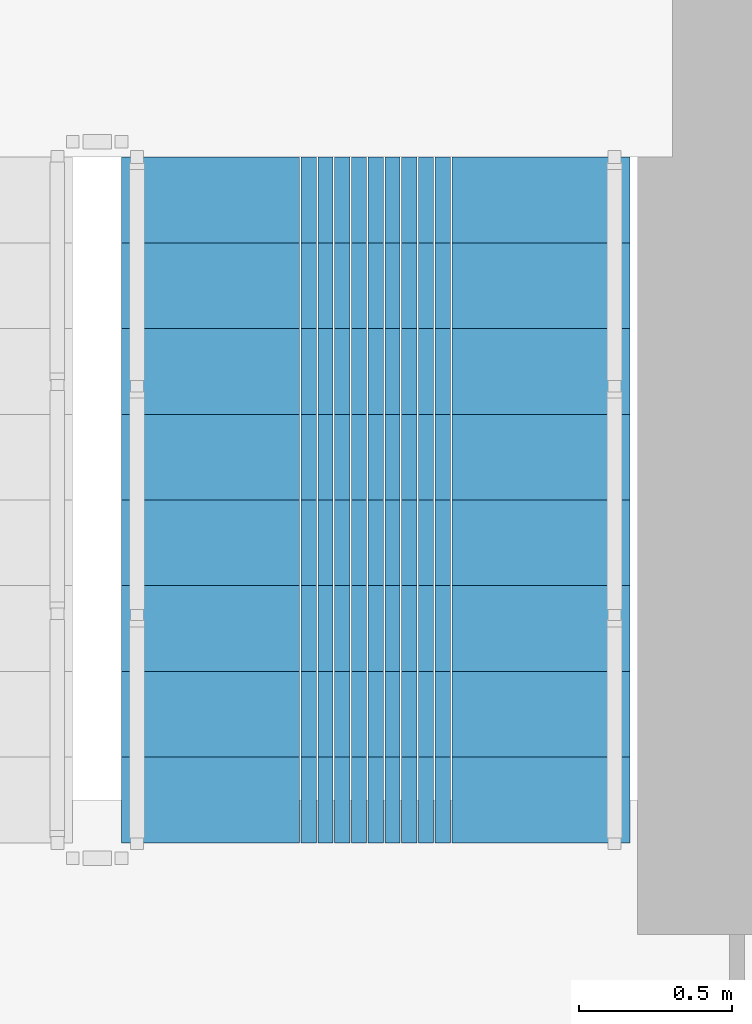
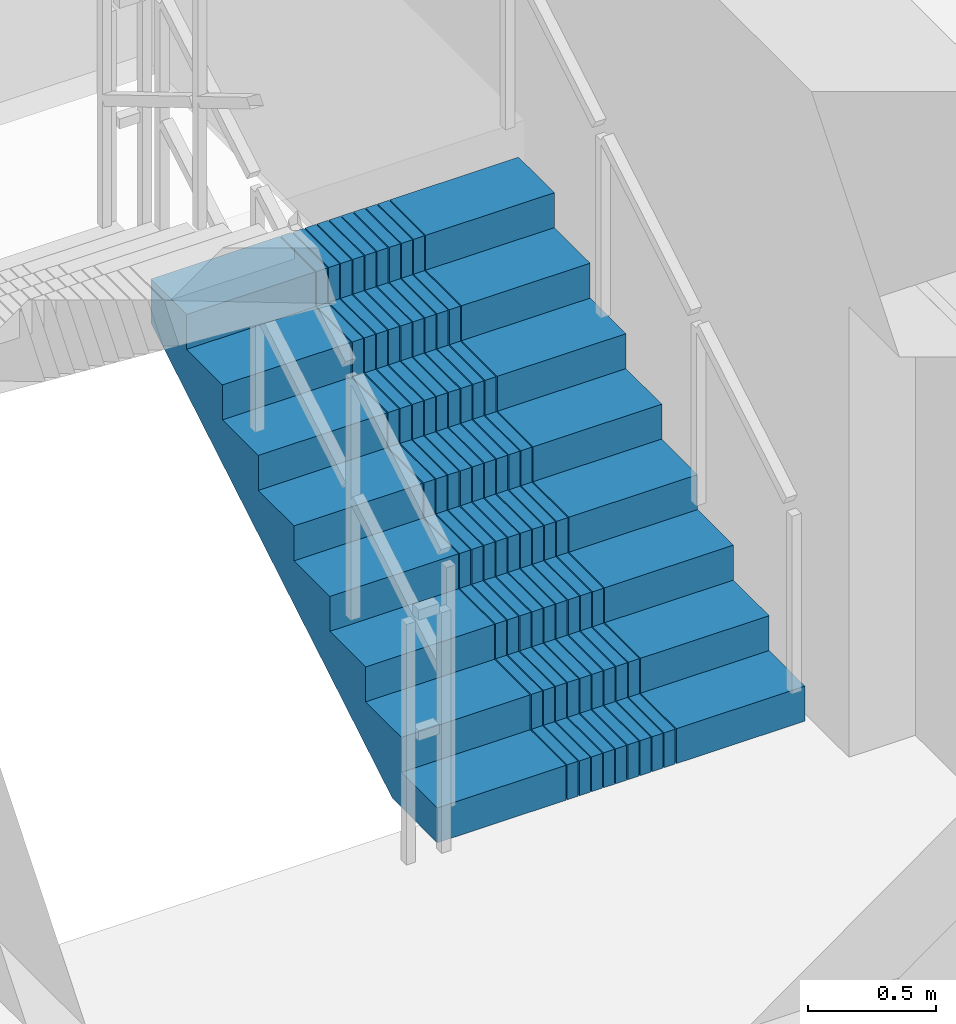
# One storey, part 21 of 27: 1 stair flight, 1 element without a shape of its own.
"""IFC4 building model written with IfcOpenShell, lengths in metres."""

from ifc_helpers import new_model, si_unit, direction, frame, origin, place, context, subcontext, project, spatial, polyline, outline, extrude, material, type_object, element, aggregate, save


model = new_model("IFC4")

# Units and contexts
model_context = context("Model", 3, precision=1e-05, world=origin(), true_north=direction((0.0, 1.0)))
body_context = subcontext(model_context, "Body", "Model", "MODEL_VIEW")
ifc_project = project(units=[si_unit("LENGTHUNIT", "METRE"), si_unit("AREAUNIT", "SQUARE_METRE"), si_unit("VOLUMEUNIT", "CUBIC_METRE"), si_unit("PLANEANGLEUNIT", "RADIAN"), si_unit("MASSUNIT", "GRAM", prefix="KILO")], contexts=[model_context])

# Site, building, storey
site_placement = place(None, origin())
site = spatial("IfcSite", under=ifc_project, at=site_placement, CompositionType="ELEMENT")
building_placement = place(site_placement, origin())
building = spatial("IfcBuilding", under=site, at=building_placement, Name="Saelheon Loggia Tower", CompositionType="ELEMENT")
storey_placement = place(building_placement, frame((0.0, 0.0, 52.39990234375)))
storey = spatial("IfcBuildingStorey", under=building, at=storey_placement, Name="L16", CompositionType="ELEMENT", Elevation=52.39990234375)

# Stair, stair flight
ifc_material = material(Name="Concrete C40/50", Category="concrete")
stair_type = type_object("IfcStairType", Name="Stair_Escape_Core", PredefinedType="HALF_TURN_STAIR", material=ifc_material)
stair_placement = place(storey_placement, origin())
stair = element("IfcStair", 1, at=stair_placement, inside=storey, type_object=stair_type, Name="L16 Special Escape Stair ST2", PredefinedType="HALF_TURN_STAIR")
stair_flight_type = type_object("IfcStairFlightType", Name="StairFlight_Tower_1660", PredefinedType="STRAIGHT", material=ifc_material)
stair_flight_placement = place(storey_placement, frame((43.320068359375, 30.449951171875, 0.0), z_axis=(0.0, 0.0, 1.0), x_axis=(0.0, 1.0, 0.0)))
stair_flight = element("IfcStairFlight", 2, at=stair_flight_placement, type_object=stair_flight_type, Name="ST2 flight 1", NumberOfRisers=9, NumberOfTreads=8, PredefinedType="STRAIGHT", RiserHeight=0.166666667, TreadLength=0.28, context=body_context, shape_type="SweptSolid", body=[
    extrude(outline(polyline([(0.0, 0.0), (0.0, 0.166748046875), (0.280029296875, 0.166748046875), (0.280029296875, 0.333251953125), (0.56005859375, 0.333251953125), (0.56005859375, 0.5), (0.840087890625, 0.5), (0.840087890625, 0.666748046875), (1.1201171875, 0.666748046875), (1.1201171875, 0.833251953125), (1.39990234375, 0.833251953125), (1.39990234375, 1.0), (1.679931640625, 1.0), (1.679931640625, 1.166748046875), (1.9599609375, 1.166748046875), (1.9599609375, 1.333251953125), (2.239990234375, 1.333251953125), (2.239990234375, 1.5), (2.239990234375, 1.1240234375), (0.351806640625, 0.0), (0.0, 0.0)])), frame((0.0, -0.2490234375, 0.0), z_axis=(0.0, -1.0, 0.0), x_axis=(1.0, 0.0, 0.0)), (0.0, 0.0, 1.0), 0.5810546875),
    extrude(outline(polyline([(0.0, 0.0), (0.0, 0.166748046875), (0.280029296875, 0.166748046875), (0.280029296875, 0.333251953125), (0.56005859375, 0.333251953125), (0.56005859375, 0.5), (0.840087890625, 0.5), (0.840087890625, 0.666748046875), (1.1201171875, 0.666748046875), (1.1201171875, 0.833251953125), (1.39990234375, 0.833251953125), (1.39990234375, 1.0), (1.679931640625, 1.0), (1.679931640625, 1.166748046875), (1.9599609375, 1.166748046875), (1.9599609375, 1.333251953125), (2.239990234375, 1.333251953125), (2.239990234375, 1.5), (2.239990234375, 1.1240234375), (0.351806640625, 0.0), (0.0, 0.0)])), frame((0.0, -0.194091796875, 0.0), z_axis=(0.0, -1.0, 0.0), x_axis=(1.0, 0.0, 0.0)), (0.0, 0.0, 1.0), 0.0498046875),
    extrude(outline(polyline([(0.0, 0.0), (0.0, 0.166748046875), (0.280029296875, 0.166748046875), (0.280029296875, 0.333251953125), (0.56005859375, 0.333251953125), (0.56005859375, 0.5), (0.840087890625, 0.5), (0.840087890625, 0.666748046875), (1.1201171875, 0.666748046875), (1.1201171875, 0.833251953125), (1.39990234375, 0.833251953125), (1.39990234375, 1.0), (1.679931640625, 1.0), (1.679931640625, 1.166748046875), (1.9599609375, 1.166748046875), (1.9599609375, 1.333251953125), (2.239990234375, 1.333251953125), (2.239990234375, 1.5), (2.239990234375, 1.1240234375), (0.351806640625, 0.0), (0.0, 0.0)])), frame((0.0, -0.139404296875, 0.0), z_axis=(0.0, -1.0, 0.0), x_axis=(1.0, 0.0, 0.0)), (0.0, 0.0, 1.0), 0.0498046875),
    extrude(outline(polyline([(0.0, 0.0), (0.0, 0.166748046875), (0.280029296875, 0.166748046875), (0.280029296875, 0.333251953125), (0.56005859375, 0.333251953125), (0.56005859375, 0.5), (0.840087890625, 0.5), (0.840087890625, 0.666748046875), (1.1201171875, 0.666748046875), (1.1201171875, 0.833251953125), (1.39990234375, 0.833251953125), (1.39990234375, 1.0), (1.679931640625, 1.0), (1.679931640625, 1.166748046875), (1.9599609375, 1.166748046875), (1.9599609375, 1.333251953125), (2.239990234375, 1.333251953125), (2.239990234375, 1.5), (2.239990234375, 1.1240234375), (0.351806640625, 0.0), (0.0, 0.0)])), frame((0.0, -0.084716796875, 0.0), z_axis=(0.0, -1.0, 0.0), x_axis=(1.0, 0.0, 0.0)), (0.0, 0.0, 1.0), 0.0498046875),
    extrude(outline(polyline([(0.0, 0.0), (0.0, 0.166748046875), (0.280029296875, 0.166748046875), (0.280029296875, 0.333251953125), (0.56005859375, 0.333251953125), (0.56005859375, 0.5), (0.840087890625, 0.5), (0.840087890625, 0.666748046875), (1.1201171875, 0.666748046875), (1.1201171875, 0.833251953125), (1.39990234375, 0.833251953125), (1.39990234375, 1.0), (1.679931640625, 1.0), (1.679931640625, 1.166748046875), (1.9599609375, 1.166748046875), (1.9599609375, 1.333251953125), (2.239990234375, 1.333251953125), (2.239990234375, 1.5), (2.239990234375, 1.1240234375), (0.351806640625, 0.0), (0.0, 0.0)])), frame((0.0, -0.02978515625, 0.0), z_axis=(0.0, -1.0, 0.0), x_axis=(1.0, 0.0, 0.0)), (0.0, 0.0, 1.0), 0.0498046875),
    extrude(outline(polyline([(0.0, 0.0), (0.0, 0.166748046875), (0.280029296875, 0.166748046875), (0.280029296875, 0.333251953125), (0.56005859375, 0.333251953125), (0.56005859375, 0.5), (0.840087890625, 0.5), (0.840087890625, 0.666748046875), (1.1201171875, 0.666748046875), (1.1201171875, 0.833251953125), (1.39990234375, 0.833251953125), (1.39990234375, 1.0), (1.679931640625, 1.0), (1.679931640625, 1.166748046875), (1.9599609375, 1.166748046875), (1.9599609375, 1.333251953125), (2.239990234375, 1.333251953125), (2.239990234375, 1.5), (2.239990234375, 1.1240234375), (0.351806640625, 0.0), (0.0, 0.0)])), frame((0.0, 0.02490234375, 0.0), z_axis=(0.0, -1.0, 0.0), x_axis=(1.0, 0.0, 0.0)), (0.0, 0.0, 1.0), 0.0498046875),
    extrude(outline(polyline([(0.0, 0.0), (0.0, 0.166748046875), (0.280029296875, 0.166748046875), (0.280029296875, 0.333251953125), (0.56005859375, 0.333251953125), (0.56005859375, 0.5), (0.840087890625, 0.5), (0.840087890625, 0.666748046875), (1.1201171875, 0.666748046875), (1.1201171875, 0.833251953125), (1.39990234375, 0.833251953125), (1.39990234375, 1.0), (1.679931640625, 1.0), (1.679931640625, 1.166748046875), (1.9599609375, 1.166748046875), (1.9599609375, 1.333251953125), (2.239990234375, 1.333251953125), (2.239990234375, 1.5), (2.239990234375, 1.1240234375), (0.351806640625, 0.0), (0.0, 0.0)])), frame((0.0, 0.07958984375, 0.0), z_axis=(0.0, -1.0, 0.0), x_axis=(1.0, 0.0, 0.0)), (0.0, 0.0, 1.0), 0.0498046875),
    extrude(outline(polyline([(0.0, 0.0), (0.0, 0.166748046875), (0.280029296875, 0.166748046875), (0.280029296875, 0.333251953125), (0.56005859375, 0.333251953125), (0.56005859375, 0.5), (0.840087890625, 0.5), (0.840087890625, 0.666748046875), (1.1201171875, 0.666748046875), (1.1201171875, 0.833251953125), (1.39990234375, 0.833251953125), (1.39990234375, 1.0), (1.679931640625, 1.0), (1.679931640625, 1.166748046875), (1.9599609375, 1.166748046875), (1.9599609375, 1.333251953125), (2.239990234375, 1.333251953125), (2.239990234375, 1.5), (2.239990234375, 1.1240234375), (0.351806640625, 0.0), (0.0, 0.0)])), frame((0.0, 0.134521484375, 0.0), z_axis=(0.0, -1.0, 0.0), x_axis=(1.0, 0.0, 0.0)), (0.0, 0.0, 1.0), 0.0498046875),
    extrude(outline(polyline([(0.0, 0.0), (0.0, 0.166748046875), (0.280029296875, 0.166748046875), (0.280029296875, 0.333251953125), (0.56005859375, 0.333251953125), (0.56005859375, 0.5), (0.840087890625, 0.5), (0.840087890625, 0.666748046875), (1.1201171875, 0.666748046875), (1.1201171875, 0.833251953125), (1.39990234375, 0.833251953125), (1.39990234375, 1.0), (1.679931640625, 1.0), (1.679931640625, 1.166748046875), (1.9599609375, 1.166748046875), (1.9599609375, 1.333251953125), (2.239990234375, 1.333251953125), (2.239990234375, 1.5), (2.239990234375, 1.1240234375), (0.351806640625, 0.0), (0.0, 0.0)])), frame((0.0, 0.189208984375, 0.0), z_axis=(0.0, -1.0, 0.0), x_axis=(1.0, 0.0, 0.0)), (0.0, 0.0, 1.0), 0.0498046875),
    extrude(outline(polyline([(0.0, 0.0), (0.0, 0.166748046875), (0.280029296875, 0.166748046875), (0.280029296875, 0.333251953125), (0.56005859375, 0.333251953125), (0.56005859375, 0.5), (0.840087890625, 0.5), (0.840087890625, 0.666748046875), (1.1201171875, 0.666748046875), (1.1201171875, 0.833251953125), (1.39990234375, 0.833251953125), (1.39990234375, 1.0), (1.679931640625, 1.0), (1.679931640625, 1.166748046875), (1.9599609375, 1.166748046875), (1.9599609375, 1.333251953125), (2.239990234375, 1.333251953125), (2.239990234375, 1.5), (2.239990234375, 1.1240234375), (0.351806640625, 0.0), (0.0, 0.0)])), frame((0.0, 0.243896484375, 0.0), z_axis=(0.0, -1.0, 0.0), x_axis=(1.0, 0.0, 0.0)), (0.0, 0.0, 1.0), 0.0498046875),
    extrude(outline(polyline([(0.0, 0.0), (0.0, 0.166748046875), (0.280029296875, 0.166748046875), (0.280029296875, 0.333251953125), (0.56005859375, 0.333251953125), (0.56005859375, 0.5), (0.840087890625, 0.5), (0.840087890625, 0.666748046875), (1.1201171875, 0.666748046875), (1.1201171875, 0.833251953125), (1.39990234375, 0.833251953125), (1.39990234375, 1.0), (1.679931640625, 1.0), (1.679931640625, 1.166748046875), (1.9599609375, 1.166748046875), (1.9599609375, 1.333251953125), (2.239990234375, 1.333251953125), (2.239990234375, 1.5), (2.239990234375, 1.1240234375), (0.351806640625, 0.0), (0.0, 0.0)])), frame((0.0, 0.830078125, 0.0), z_axis=(0.0, -1.0, 0.0), x_axis=(1.0, 0.0, 0.0)), (0.0, 0.0, 1.0), 0.5810546875),
])
aggregate(stair, [stair_flight])

save(model, "model.ifc")
